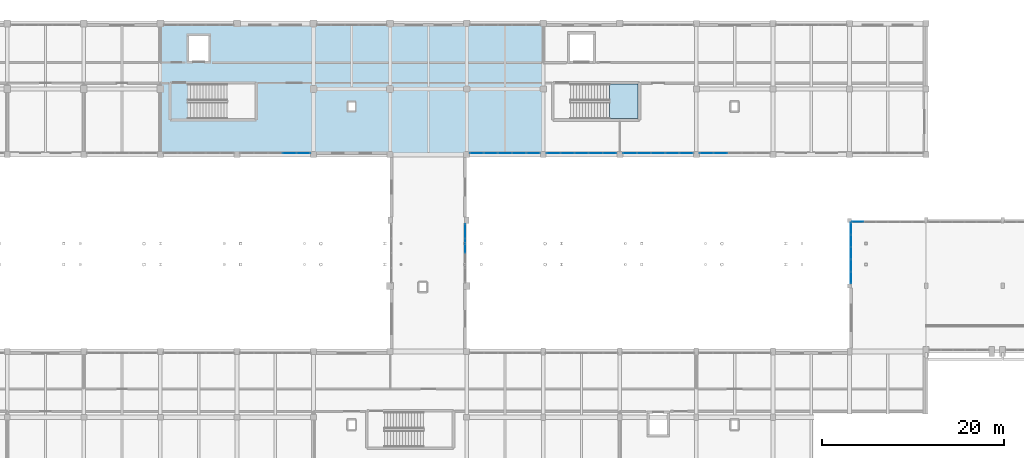
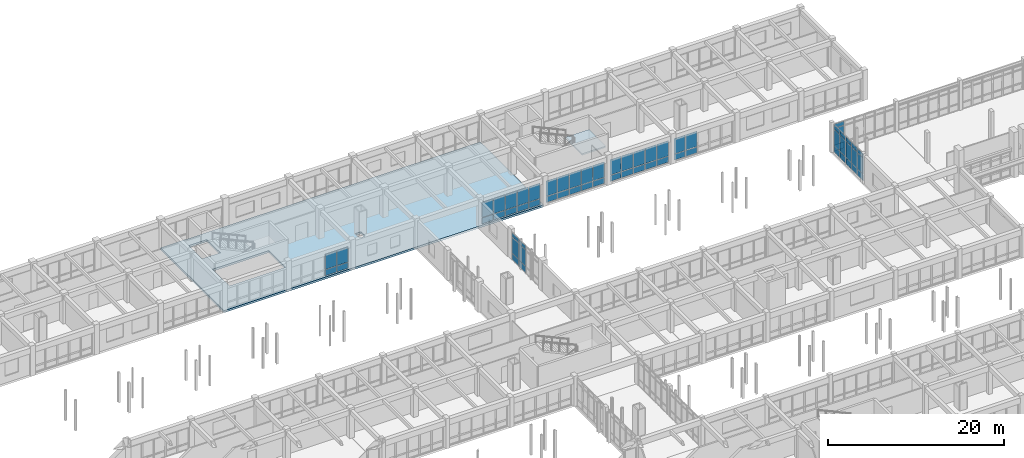
# One storey, part 113 of 147: 62 plates, 2 slabs, 9 elements without a shape of their own.
"""IFC4 building model written with IfcOpenShell, lengths in metres."""

from ifc_helpers import new_model, si_unit, direction, frame, origin, origin_2d, place, context, subcontext, project, spatial, polyline, rectangle, outline, extrude, material, layer, layer_set, type_object, element, aggregate, save


model = new_model("IFC4")

# Units and contexts
model_context = context("Model", 3, precision=1e-05, world=origin(), true_north=direction((0.0, 1.0)))
body_context = subcontext(model_context, "Body", "Model", "MODEL_VIEW")
ifc_project = project(units=[si_unit("LENGTHUNIT", "METRE"), si_unit("AREAUNIT", "SQUARE_METRE"), si_unit("VOLUMEUNIT", "CUBIC_METRE"), si_unit("PLANEANGLEUNIT", "RADIAN"), si_unit("MASSUNIT", "GRAM", prefix="KILO")], contexts=[model_context])

# Site, building, storey
site_placement = place(None, origin())
site = spatial("IfcSite", under=ifc_project, at=site_placement, CompositionType="ELEMENT")
building_placement = place(site_placement, origin())
building = spatial("IfcBuilding", under=site, at=building_placement, Name="Malvenik Polytechnic", CompositionType="ELEMENT")
storey_placement = place(building_placement, frame((0.0, 0.0, 5.10009765625)))
storey = spatial("IfcBuildingStorey", under=building, at=storey_placement, Name="L01", CompositionType="ELEMENT", Elevation=5.10009765625)

# Curtain wall, plates
ifc_material_1 = material(Name="Anodised aluminium 6060-T6", Category="aluminium")
curtain_wall_type_1 = type_object("IfcCurtainWallType", Name="ARC-CW-CW-02", PredefinedType="NOTDEFINED", material=ifc_material_1)
curtain_wall_1_placement = place(storey_placement, origin())
curtain_wall_1 = element("IfcCurtainWall", 1, at=curtain_wall_1_placement, inside=storey, type_object=curtain_wall_type_1, Name="Unitised Curtain Wall CW-02 L01 #39", PredefinedType="NOTDEFINED")
ifc_material_2 = material(Name="Insulated low-E double glazing 8-16-8", Category="glass")
ifc_layer_1 = layer(ifc_material_2, 0.028076171875)
ifc_layer_set_1 = layer_set([ifc_layer_1], Name="Insulated low-E double glazing 8-16-8")
plate_type_1 = type_object("IfcPlateType", Name="ARC-CWP-CP-GLZ28", PredefinedType="CURTAIN_PANEL", material=ifc_layer_set_1)
plate_1_placement = place(storey_placement, frame((66.086669921875, 115.3701171875, 0.929931640625), z_axis=(0.0, 0.0, 1.0), x_axis=(-1.0, 0.0, 0.0)))
plate_1 = element("IfcPlate", 2, at=plate_1_placement, type_object=plate_type_1, Name="CW-02 panel 1.2", PredefinedType="CURTAIN_PANEL", context=body_context, shape_type="SweptSolid", body=[
    extrude(rectangle(XDim=1.460693359375, YDim=0.028076171875, at=origin_2d()), origin(), (0.0, 0.0, 1.0), 2.1201171875),
])
plate_2_placement = place(storey_placement, frame((64.55078125, 115.3701171875, 0.929931640625), z_axis=(0.0, 0.0, 1.0), x_axis=(-1.0, 0.0, 0.0)))
plate_2 = element("IfcPlate", 3, at=plate_2_placement, type_object=plate_type_1, Name="CW-02 panel 2.2", PredefinedType="CURTAIN_PANEL", context=body_context, shape_type="SweptSolid", body=[
    extrude(rectangle(XDim=1.49072265625, YDim=0.028076171875, at=origin_2d()), origin(), (0.0, 0.0, 1.0), 2.1201171875),
])

curtain_wall_2_placement = place(storey_placement, origin())
curtain_wall_2 = element("IfcCurtainWall", 4, at=curtain_wall_2_placement, inside=storey, type_object=curtain_wall_type_1, Name="Unitised Curtain Wall CW-02 L01 #54", PredefinedType="NOTDEFINED")
plate_3_placement = place(storey_placement, frame((111.84912109375, 115.3701171875, 0.929931640625), z_axis=(0.0, 0.0, 1.0), x_axis=(-1.0, 0.0, 0.0)))
plate_3 = element("IfcPlate", 5, at=plate_3_placement, type_object=plate_type_1, Name="CW-02 panel 4.2", PredefinedType="CURTAIN_PANEL", context=body_context, shape_type="SweptSolid", body=[
    extrude(rectangle(XDim=1.49072265625, YDim=0.028076171875, at=origin_2d()), origin(), (0.0, 0.0, 1.0), 2.1201171875),
])
plate_4_placement = place(storey_placement, frame((110.3134765625, 115.3701171875, 0.929931640625), z_axis=(0.0, 0.0, 1.0), x_axis=(-1.0, 0.0, 0.0)))
plate_4 = element("IfcPlate", 6, at=plate_4_placement, type_object=plate_type_1, Name="CW-02 panel 5.2", PredefinedType="CURTAIN_PANEL", context=body_context, shape_type="SweptSolid", body=[
    extrude(rectangle(XDim=1.460693359375, YDim=0.028076171875, at=origin_2d()), origin(), (0.0, 0.0, 1.0), 2.1201171875),
])

curtain_wall_3_placement = place(storey_placement, origin())
curtain_wall_3 = element("IfcCurtainWall", 7, at=curtain_wall_3_placement, inside=storey, type_object=curtain_wall_type_1, Name="Unitised Curtain Wall CW-02 L01 #55", PredefinedType="NOTDEFINED")
plate_5_placement = place(storey_placement, frame((108.086669921875, 115.3701171875, 0.929931640625), z_axis=(0.0, 0.0, 1.0), x_axis=(-1.0, 0.0, 0.0)))
plate_5 = element("IfcPlate", 8, at=plate_5_placement, type_object=plate_type_1, Name="CW-02 panel 1.2", PredefinedType="CURTAIN_PANEL", context=body_context, shape_type="SweptSolid", body=[
    extrude(rectangle(XDim=1.460693359375, YDim=0.028076171875, at=origin_2d()), origin(), (0.0, 0.0, 1.0), 2.1201171875),
])
plate_6_placement = place(storey_placement, frame((106.55078125, 115.3701171875, 0.929931640625), z_axis=(0.0, 0.0, 1.0), x_axis=(-1.0, 0.0, 0.0)))
plate_6 = element("IfcPlate", 9, at=plate_6_placement, type_object=plate_type_1, Name="CW-02 panel 2.2", PredefinedType="CURTAIN_PANEL", context=body_context, shape_type="SweptSolid", body=[
    extrude(rectangle(XDim=1.49072265625, YDim=0.028076171875, at=origin_2d()), origin(), (0.0, 0.0, 1.0), 2.1201171875),
])
plate_7_placement = place(storey_placement, frame((105.0, 115.3701171875, 0.929931640625), z_axis=(0.0, 0.0, 1.0), x_axis=(-1.0, 0.0, 0.0)))
plate_7 = element("IfcPlate", 10, at=plate_7_placement, type_object=plate_type_1, Name="CW-02 panel 3.2", PredefinedType="CURTAIN_PANEL", context=body_context, shape_type="SweptSolid", body=[
    extrude(rectangle(XDim=1.49072265625, YDim=0.028076171875, at=origin_2d()), origin(), (0.0, 0.0, 1.0), 2.1201171875),
])
plate_8_placement = place(storey_placement, frame((103.44921875, 115.3701171875, 0.929931640625), z_axis=(0.0, 0.0, 1.0), x_axis=(-1.0, 0.0, 0.0)))
plate_8 = element("IfcPlate", 11, at=plate_8_placement, type_object=plate_type_1, Name="CW-02 panel 4.2", PredefinedType="CURTAIN_PANEL", context=body_context, shape_type="SweptSolid", body=[
    extrude(rectangle(XDim=1.49072265625, YDim=0.028076171875, at=origin_2d()), origin(), (0.0, 0.0, 1.0), 2.1201171875),
])
plate_9_placement = place(storey_placement, frame((101.913330078125, 115.3701171875, 0.929931640625), z_axis=(0.0, 0.0, 1.0), x_axis=(-1.0, 0.0, 0.0)))
plate_9 = element("IfcPlate", 12, at=plate_9_placement, type_object=plate_type_1, Name="CW-02 panel 5.2", PredefinedType="CURTAIN_PANEL", context=body_context, shape_type="SweptSolid", body=[
    extrude(rectangle(XDim=1.460693359375, YDim=0.028076171875, at=origin_2d()), origin(), (0.0, 0.0, 1.0), 2.1201171875),
])

curtain_wall_4_placement = place(storey_placement, origin())
curtain_wall_4 = element("IfcCurtainWall", 13, at=curtain_wall_4_placement, inside=storey, type_object=curtain_wall_type_1, Name="Unitised Curtain Wall CW-02 L01 #56", PredefinedType="NOTDEFINED")
plate_10_placement = place(storey_placement, frame((99.6865234375, 115.3701171875, 0.929931640625), z_axis=(0.0, 0.0, 1.0), x_axis=(-1.0, 0.0, 0.0)))
plate_10 = element("IfcPlate", 14, at=plate_10_placement, type_object=plate_type_1, Name="CW-02 panel 1.2", PredefinedType="CURTAIN_PANEL", context=body_context, shape_type="SweptSolid", body=[
    extrude(rectangle(XDim=1.460693359375, YDim=0.028076171875, at=origin_2d()), origin(), (0.0, 0.0, 1.0), 2.1201171875),
])
plate_11_placement = place(storey_placement, frame((98.15087890625, 115.3701171875, 0.929931640625), z_axis=(0.0, 0.0, 1.0), x_axis=(-1.0, 0.0, 0.0)))
plate_11 = element("IfcPlate", 15, at=plate_11_placement, type_object=plate_type_1, Name="CW-02 panel 2.2", PredefinedType="CURTAIN_PANEL", context=body_context, shape_type="SweptSolid", body=[
    extrude(rectangle(XDim=1.49072265625, YDim=0.028076171875, at=origin_2d()), origin(), (0.0, 0.0, 1.0), 2.1201171875),
])
plate_12_placement = place(storey_placement, frame((96.60009765625, 115.3701171875, 0.929931640625), z_axis=(0.0, 0.0, 1.0), x_axis=(-1.0, 0.0, 0.0)))
plate_12 = element("IfcPlate", 16, at=plate_12_placement, type_object=plate_type_1, Name="CW-02 panel 3.2", PredefinedType="CURTAIN_PANEL", context=body_context, shape_type="SweptSolid", body=[
    extrude(rectangle(XDim=1.49072265625, YDim=0.028076171875, at=origin_2d()), origin(), (0.0, 0.0, 1.0), 2.1201171875),
])
plate_13_placement = place(storey_placement, frame((95.04931640625, 115.3701171875, 0.929931640625), z_axis=(0.0, 0.0, 1.0), x_axis=(-1.0, 0.0, 0.0)))
plate_13 = element("IfcPlate", 17, at=plate_13_placement, type_object=plate_type_1, Name="CW-02 panel 4.2", PredefinedType="CURTAIN_PANEL", context=body_context, shape_type="SweptSolid", body=[
    extrude(rectangle(XDim=1.49072265625, YDim=0.028076171875, at=origin_2d()), origin(), (0.0, 0.0, 1.0), 2.1201171875),
])
plate_14_placement = place(storey_placement, frame((93.513427734375, 115.3701171875, 0.929931640625), z_axis=(0.0, 0.0, 1.0), x_axis=(-1.0, 0.0, 0.0)))
plate_14 = element("IfcPlate", 18, at=plate_14_placement, type_object=plate_type_1, Name="CW-02 panel 5.2", PredefinedType="CURTAIN_PANEL", context=body_context, shape_type="SweptSolid", body=[
    extrude(rectangle(XDim=1.460693359375, YDim=0.028076171875, at=origin_2d()), origin(), (0.0, 0.0, 1.0), 2.1201171875),
])

curtain_wall_5_placement = place(storey_placement, origin())
curtain_wall_5 = element("IfcCurtainWall", 19, at=curtain_wall_5_placement, inside=storey, type_object=curtain_wall_type_1, Name="Unitised Curtain Wall CW-02 L01 #57", PredefinedType="NOTDEFINED")
plate_15_placement = place(storey_placement, frame((91.28662109375, 115.3701171875, 0.929931640625), z_axis=(0.0, 0.0, 1.0), x_axis=(-1.0, 0.0, 0.0)))
plate_15 = element("IfcPlate", 20, at=plate_15_placement, type_object=plate_type_1, Name="CW-02 panel 1.2", PredefinedType="CURTAIN_PANEL", context=body_context, shape_type="SweptSolid", body=[
    extrude(rectangle(XDim=1.460693359375, YDim=0.028076171875, at=origin_2d()), origin(), (0.0, 0.0, 1.0), 2.1201171875),
])
plate_16_placement = place(storey_placement, frame((89.750732421875, 115.3701171875, 0.929931640625), z_axis=(0.0, 0.0, 1.0), x_axis=(-1.0, 0.0, 0.0)))
plate_16 = element("IfcPlate", 21, at=plate_16_placement, type_object=plate_type_1, Name="CW-02 panel 2.2", PredefinedType="CURTAIN_PANEL", context=body_context, shape_type="SweptSolid", body=[
    extrude(rectangle(XDim=1.49072265625, YDim=0.028076171875, at=origin_2d()), origin(), (0.0, 0.0, 1.0), 2.1201171875),
])
plate_17_placement = place(storey_placement, frame((88.199951171875, 115.3701171875, 0.929931640625), z_axis=(0.0, 0.0, 1.0), x_axis=(-1.0, 0.0, 0.0)))
plate_17 = element("IfcPlate", 22, at=plate_17_placement, type_object=plate_type_1, Name="CW-02 panel 3.2", PredefinedType="CURTAIN_PANEL", context=body_context, shape_type="SweptSolid", body=[
    extrude(rectangle(XDim=1.49072265625, YDim=0.028076171875, at=origin_2d()), origin(), (0.0, 0.0, 1.0), 2.1201171875),
])
plate_18_placement = place(storey_placement, frame((86.649169921875, 115.3701171875, 0.929931640625), z_axis=(0.0, 0.0, 1.0), x_axis=(-1.0, 0.0, 0.0)))
plate_18 = element("IfcPlate", 23, at=plate_18_placement, type_object=plate_type_1, Name="CW-02 panel 4.2", PredefinedType="CURTAIN_PANEL", context=body_context, shape_type="SweptSolid", body=[
    extrude(rectangle(XDim=1.49072265625, YDim=0.028076171875, at=origin_2d()), origin(), (0.0, 0.0, 1.0), 2.1201171875),
])
plate_19_placement = place(storey_placement, frame((85.11328125, 115.3701171875, 0.929931640625), z_axis=(0.0, 0.0, 1.0), x_axis=(-1.0, 0.0, 0.0)))
plate_19 = element("IfcPlate", 24, at=plate_19_placement, type_object=plate_type_1, Name="CW-02 panel 5.2", PredefinedType="CURTAIN_PANEL", context=body_context, shape_type="SweptSolid", body=[
    extrude(rectangle(XDim=1.460693359375, YDim=0.028076171875, at=origin_2d()), origin(), (0.0, 0.0, 1.0), 2.1201171875),
])

curtain_wall_type_2 = type_object("IfcCurtainWallType", Name="ARC-CW-CW-04", PredefinedType="NOTDEFINED", material=ifc_material_1)
curtain_wall_6_placement = place(storey_placement, origin())
curtain_wall_6 = element("IfcCurtainWall", 25, at=curtain_wall_6_placement, inside=storey, type_object=curtain_wall_type_2, Name="Unitised Curtain Wall CW-04 L01 #58", PredefinedType="NOTDEFINED")
plate_20_placement = place(storey_placement, frame((83.830078125, 106.80517578125, 0.97998046875), z_axis=(0.0, 0.0, 1.0), x_axis=(0.0, -1.0, 0.0)))
plate_20 = element("IfcPlate", 26, at=plate_20_placement, type_object=plate_type_1, Name="CW-04 panel 1.2", PredefinedType="CURTAIN_PANEL", context=body_context, shape_type="SweptSolid", body=[
    extrude(rectangle(XDim=1.5234375, YDim=0.028076171875, at=origin_2d()), origin(), (0.0, 0.0, 1.0), 2.199951171875),
])
plate_21_placement = place(storey_placement, frame((83.830078125, 106.80517578125, 3.239990234375), z_axis=(0.0, 0.0, 1.0), x_axis=(0.0, -1.0, 0.0)))
plate_21 = element("IfcPlate", 27, at=plate_21_placement, type_object=plate_type_1, Name="CW-04 panel 1.3", PredefinedType="CURTAIN_PANEL", context=body_context, shape_type="SweptSolid", body=[
    extrude(rectangle(XDim=1.5234375, YDim=0.028076171875, at=origin_2d()), origin(), (0.0, 0.0, 1.0), 0.56005859375),
])
plate_22_placement = place(storey_placement, frame((83.830078125, 105.206787109375, 0.97998046875), z_axis=(0.0, 0.0, 1.0), x_axis=(0.0, -1.0, 0.0)))
plate_22 = element("IfcPlate", 28, at=plate_22_placement, type_object=plate_type_1, Name="CW-04 panel 2.2", PredefinedType="CURTAIN_PANEL", context=body_context, shape_type="SweptSolid", body=[
    extrude(rectangle(XDim=1.553466796875, YDim=0.028076171875, at=origin_2d()), origin(), (0.0, 0.0, 1.0), 2.199951171875),
])
plate_23_placement = place(storey_placement, frame((83.830078125, 105.206787109375, 3.239990234375), z_axis=(0.0, 0.0, 1.0), x_axis=(0.0, -1.0, 0.0)))
plate_23 = element("IfcPlate", 29, at=plate_23_placement, type_object=plate_type_1, Name="CW-04 panel 2.3", PredefinedType="CURTAIN_PANEL", context=body_context, shape_type="SweptSolid", body=[
    extrude(rectangle(XDim=1.553466796875, YDim=0.028076171875, at=origin_2d()), origin(), (0.0, 0.0, 1.0), 0.56005859375),
])

curtain_wall_7_placement = place(storey_placement, origin())
curtain_wall_7 = element("IfcCurtainWall", 30, at=curtain_wall_7_placement, inside=storey, type_object=curtain_wall_type_2, Name="Unitised Curtain Wall CW-04 L01 #63", PredefinedType="NOTDEFINED")
plate_24_placement = place(storey_placement, frame((126.169921875, 101.71337890625, 0.97998046875), z_axis=(0.0, 0.0, 1.0), x_axis=(0.0, 1.0, 0.0)))
plate_24 = element("IfcPlate", 31, at=plate_24_placement, type_object=plate_type_1, Name="CW-04 panel 1.2", PredefinedType="CURTAIN_PANEL", context=body_context, shape_type="SweptSolid", body=[
    extrude(rectangle(XDim=1.2607421875, YDim=0.028076171875, at=origin_2d()), origin(), (0.0, 0.0, 1.0), 2.199951171875),
])
plate_25_placement = place(storey_placement, frame((126.169921875, 101.71337890625, 3.239990234375), z_axis=(0.0, 0.0, 1.0), x_axis=(0.0, 1.0, 0.0)))
plate_25 = element("IfcPlate", 32, at=plate_25_placement, type_object=plate_type_1, Name="CW-04 panel 1.3", PredefinedType="CURTAIN_PANEL", context=body_context, shape_type="SweptSolid", body=[
    extrude(rectangle(XDim=1.2607421875, YDim=0.028076171875, at=origin_2d()), origin(), (0.0, 0.0, 1.0), 0.56005859375),
])
plate_26_placement = place(storey_placement, frame((126.169921875, 103.04931640625, 0.97998046875), z_axis=(0.0, 0.0, 1.0), x_axis=(0.0, 1.0, 0.0)))
plate_26 = element("IfcPlate", 33, at=plate_26_placement, type_object=plate_type_1, Name="CW-04 panel 2.2", PredefinedType="CURTAIN_PANEL", context=body_context, shape_type="SweptSolid", body=[
    extrude(rectangle(XDim=1.290771484375, YDim=0.028076171875, at=origin_2d()), origin(), (0.0, 0.0, 1.0), 2.199951171875),
])
plate_27_placement = place(storey_placement, frame((126.169921875, 103.04931640625, 3.239990234375), z_axis=(0.0, 0.0, 1.0), x_axis=(0.0, 1.0, 0.0)))
plate_27 = element("IfcPlate", 34, at=plate_27_placement, type_object=plate_type_1, Name="CW-04 panel 2.3", PredefinedType="CURTAIN_PANEL", context=body_context, shape_type="SweptSolid", body=[
    extrude(rectangle(XDim=1.290771484375, YDim=0.028076171875, at=origin_2d()), origin(), (0.0, 0.0, 1.0), 0.56005859375),
])
plate_28_placement = place(storey_placement, frame((126.169921875, 104.39990234375, 0.97998046875), z_axis=(0.0, 0.0, 1.0), x_axis=(0.0, 1.0, 0.0)))
plate_28 = element("IfcPlate", 35, at=plate_28_placement, type_object=plate_type_1, Name="CW-04 panel 3.2", PredefinedType="CURTAIN_PANEL", context=body_context, shape_type="SweptSolid", body=[
    extrude(rectangle(XDim=1.290771484375, YDim=0.028076171875, at=origin_2d()), origin(), (0.0, 0.0, 1.0), 2.199951171875),
])
plate_29_placement = place(storey_placement, frame((126.169921875, 104.39990234375, 3.239990234375), z_axis=(0.0, 0.0, 1.0), x_axis=(0.0, 1.0, 0.0)))
plate_29 = element("IfcPlate", 36, at=plate_29_placement, type_object=plate_type_1, Name="CW-04 panel 3.3", PredefinedType="CURTAIN_PANEL", context=body_context, shape_type="SweptSolid", body=[
    extrude(rectangle(XDim=1.290771484375, YDim=0.028076171875, at=origin_2d()), origin(), (0.0, 0.0, 1.0), 0.56005859375),
])
plate_30_placement = place(storey_placement, frame((126.169921875, 105.750732421875, 0.97998046875), z_axis=(0.0, 0.0, 1.0), x_axis=(0.0, 1.0, 0.0)))
plate_30 = element("IfcPlate", 37, at=plate_30_placement, type_object=plate_type_1, Name="CW-04 panel 4.2", PredefinedType="CURTAIN_PANEL", context=body_context, shape_type="SweptSolid", body=[
    extrude(rectangle(XDim=1.290771484375, YDim=0.028076171875, at=origin_2d()), origin(), (0.0, 0.0, 1.0), 2.199951171875),
])
plate_31_placement = place(storey_placement, frame((126.169921875, 105.750732421875, 3.239990234375), z_axis=(0.0, 0.0, 1.0), x_axis=(0.0, 1.0, 0.0)))
plate_31 = element("IfcPlate", 38, at=plate_31_placement, type_object=plate_type_1, Name="CW-04 panel 4.3", PredefinedType="CURTAIN_PANEL", context=body_context, shape_type="SweptSolid", body=[
    extrude(rectangle(XDim=1.290771484375, YDim=0.028076171875, at=origin_2d()), origin(), (0.0, 0.0, 1.0), 0.56005859375),
])
plate_32_placement = place(storey_placement, frame((126.169921875, 107.086669921875, 0.97998046875), z_axis=(0.0, 0.0, 1.0), x_axis=(0.0, 1.0, 0.0)))
plate_32 = element("IfcPlate", 39, at=plate_32_placement, type_object=plate_type_1, Name="CW-04 panel 5.2", PredefinedType="CURTAIN_PANEL", context=body_context, shape_type="SweptSolid", body=[
    extrude(rectangle(XDim=1.2607421875, YDim=0.028076171875, at=origin_2d()), origin(), (0.0, 0.0, 1.0), 2.199951171875),
])
plate_33_placement = place(storey_placement, frame((126.169921875, 107.086669921875, 3.239990234375), z_axis=(0.0, 0.0, 1.0), x_axis=(0.0, 1.0, 0.0)))
plate_33 = element("IfcPlate", 40, at=plate_33_placement, type_object=plate_type_1, Name="CW-04 panel 5.3", PredefinedType="CURTAIN_PANEL", context=body_context, shape_type="SweptSolid", body=[
    extrude(rectangle(XDim=1.2607421875, YDim=0.028076171875, at=origin_2d()), origin(), (0.0, 0.0, 1.0), 0.56005859375),
])

curtain_wall_type_3 = type_object("IfcCurtainWallType", Name="ARC-CW-CW-01", PredefinedType="NOTDEFINED", material=ifc_material_1)
curtain_wall_8_placement = place(storey_placement, origin())
curtain_wall_8 = element("IfcCurtainWall", 41, at=curtain_wall_8_placement, inside=storey, type_object=curtain_wall_type_3, Name="Unitised Curtain Wall CW-01 L01 #64", PredefinedType="NOTDEFINED")
plate_34_placement = place(storey_placement, frame((126.90283203125, 107.830078125, 0.97998046875), z_axis=(0.0, 0.0, 1.0), x_axis=(1.0, 0.0, 0.0)))
plate_34 = element("IfcPlate", 42, at=plate_34_placement, type_object=plate_type_1, Name="CW-01 panel 1.2", PredefinedType="CURTAIN_PANEL", context=body_context, shape_type="SweptSolid", body=[
    extrude(rectangle(XDim=1.23974609375, YDim=0.028076171875, at=origin_2d()), origin(), (0.0, 0.0, 1.0), 2.199951171875),
])
plate_35_placement = place(storey_placement, frame((126.90283203125, 107.830078125, 3.239990234375), z_axis=(0.0, 0.0, 1.0), x_axis=(1.0, 0.0, 0.0)))
plate_35 = element("IfcPlate", 43, at=plate_35_placement, type_object=plate_type_1, Name="CW-01 panel 1.3", PredefinedType="CURTAIN_PANEL", context=body_context, shape_type="SweptSolid", body=[
    extrude(rectangle(XDim=1.23974609375, YDim=0.028076171875, at=origin_2d()), origin(), (0.0, 0.0, 1.0), 0.56005859375),
])

# Plate
ifc_material_3 = material(Name="Insulated aluminium spandrel cassette 42mm", Category="aluminium")
ifc_layer_2 = layer(ifc_material_3, 0.0419921875)
ifc_layer_set_2 = layer_set([ifc_layer_2], Name="Insulated aluminium spandrel cassette 42mm")
plate_type_2 = type_object("IfcPlateType", Name="ARC-CWP-CP-SPN42", PredefinedType="CURTAIN_PANEL", material=ifc_layer_set_2)
plate_36_placement = place(storey_placement, frame((66.086669921875, 115.3701171875, 0.059814453125), z_axis=(0.0, 0.0, 1.0), x_axis=(-1.0, 0.0, 0.0)))
plate_36 = element("IfcPlate", 44, at=plate_36_placement, type_object=plate_type_2, Name="CW-02 panel 1.1", PredefinedType="CURTAIN_PANEL", context=body_context, shape_type="SweptSolid", body=[
    extrude(rectangle(XDim=1.460693359375, YDim=0.028076171875, at=origin_2d()), origin(), (0.0, 0.0, 1.0), 0.81005859375),
])

plate_37_placement = place(storey_placement, frame((64.55078125, 115.3701171875, 0.059814453125), z_axis=(0.0, 0.0, 1.0), x_axis=(-1.0, 0.0, 0.0)))
plate_37 = element("IfcPlate", 45, at=plate_37_placement, type_object=plate_type_2, Name="CW-02 panel 2.1", PredefinedType="CURTAIN_PANEL", context=body_context, shape_type="SweptSolid", body=[
    extrude(rectangle(XDim=1.49072265625, YDim=0.028076171875, at=origin_2d()), origin(), (0.0, 0.0, 1.0), 0.81005859375),
])

aggregate(curtain_wall_1, [plate_36, plate_1, plate_37, plate_2])

plate_38_placement = place(storey_placement, frame((111.84912109375, 115.3701171875, 0.059814453125), z_axis=(0.0, 0.0, 1.0), x_axis=(-1.0, 0.0, 0.0)))
plate_38 = element("IfcPlate", 46, at=plate_38_placement, type_object=plate_type_2, Name="CW-02 panel 4.1", PredefinedType="CURTAIN_PANEL", context=body_context, shape_type="SweptSolid", body=[
    extrude(rectangle(XDim=1.49072265625, YDim=0.028076171875, at=origin_2d()), origin(), (0.0, 0.0, 1.0), 0.81005859375),
])

plate_39_placement = place(storey_placement, frame((110.3134765625, 115.3701171875, 0.059814453125), z_axis=(0.0, 0.0, 1.0), x_axis=(-1.0, 0.0, 0.0)))
plate_39 = element("IfcPlate", 47, at=plate_39_placement, type_object=plate_type_2, Name="CW-02 panel 5.1", PredefinedType="CURTAIN_PANEL", context=body_context, shape_type="SweptSolid", body=[
    extrude(rectangle(XDim=1.460693359375, YDim=0.028076171875, at=origin_2d()), origin(), (0.0, 0.0, 1.0), 0.81005859375),
])

aggregate(curtain_wall_2, [plate_38, plate_3, plate_39, plate_4])

plate_40_placement = place(storey_placement, frame((108.086669921875, 115.3701171875, 0.059814453125), z_axis=(0.0, 0.0, 1.0), x_axis=(-1.0, 0.0, 0.0)))
plate_40 = element("IfcPlate", 48, at=plate_40_placement, type_object=plate_type_2, Name="CW-02 panel 1.1", PredefinedType="CURTAIN_PANEL", context=body_context, shape_type="SweptSolid", body=[
    extrude(rectangle(XDim=1.460693359375, YDim=0.028076171875, at=origin_2d()), origin(), (0.0, 0.0, 1.0), 0.81005859375),
])

plate_41_placement = place(storey_placement, frame((106.55078125, 115.3701171875, 0.059814453125), z_axis=(0.0, 0.0, 1.0), x_axis=(-1.0, 0.0, 0.0)))
plate_41 = element("IfcPlate", 49, at=plate_41_placement, type_object=plate_type_2, Name="CW-02 panel 2.1", PredefinedType="CURTAIN_PANEL", context=body_context, shape_type="SweptSolid", body=[
    extrude(rectangle(XDim=1.49072265625, YDim=0.028076171875, at=origin_2d()), origin(), (0.0, 0.0, 1.0), 0.81005859375),
])

plate_42_placement = place(storey_placement, frame((105.0, 115.3701171875, 0.059814453125), z_axis=(0.0, 0.0, 1.0), x_axis=(-1.0, 0.0, 0.0)))
plate_42 = element("IfcPlate", 50, at=plate_42_placement, type_object=plate_type_2, Name="CW-02 panel 3.1", PredefinedType="CURTAIN_PANEL", context=body_context, shape_type="SweptSolid", body=[
    extrude(rectangle(XDim=1.49072265625, YDim=0.028076171875, at=origin_2d()), origin(), (0.0, 0.0, 1.0), 0.81005859375),
])

plate_43_placement = place(storey_placement, frame((103.44921875, 115.3701171875, 0.059814453125), z_axis=(0.0, 0.0, 1.0), x_axis=(-1.0, 0.0, 0.0)))
plate_43 = element("IfcPlate", 51, at=plate_43_placement, type_object=plate_type_2, Name="CW-02 panel 4.1", PredefinedType="CURTAIN_PANEL", context=body_context, shape_type="SweptSolid", body=[
    extrude(rectangle(XDim=1.49072265625, YDim=0.028076171875, at=origin_2d()), origin(), (0.0, 0.0, 1.0), 0.81005859375),
])

plate_44_placement = place(storey_placement, frame((101.913330078125, 115.3701171875, 0.059814453125), z_axis=(0.0, 0.0, 1.0), x_axis=(-1.0, 0.0, 0.0)))
plate_44 = element("IfcPlate", 52, at=plate_44_placement, type_object=plate_type_2, Name="CW-02 panel 5.1", PredefinedType="CURTAIN_PANEL", context=body_context, shape_type="SweptSolid", body=[
    extrude(rectangle(XDim=1.460693359375, YDim=0.028076171875, at=origin_2d()), origin(), (0.0, 0.0, 1.0), 0.81005859375),
])

aggregate(curtain_wall_3, [plate_40, plate_5, plate_41, plate_6, plate_42, plate_7, plate_43, plate_8, plate_44, plate_9])

plate_45_placement = place(storey_placement, frame((99.6865234375, 115.3701171875, 0.059814453125), z_axis=(0.0, 0.0, 1.0), x_axis=(-1.0, 0.0, 0.0)))
plate_45 = element("IfcPlate", 53, at=plate_45_placement, type_object=plate_type_2, Name="CW-02 panel 1.1", PredefinedType="CURTAIN_PANEL", context=body_context, shape_type="SweptSolid", body=[
    extrude(rectangle(XDim=1.460693359375, YDim=0.028076171875, at=origin_2d()), origin(), (0.0, 0.0, 1.0), 0.81005859375),
])

plate_46_placement = place(storey_placement, frame((98.15087890625, 115.3701171875, 0.059814453125), z_axis=(0.0, 0.0, 1.0), x_axis=(-1.0, 0.0, 0.0)))
plate_46 = element("IfcPlate", 54, at=plate_46_placement, type_object=plate_type_2, Name="CW-02 panel 2.1", PredefinedType="CURTAIN_PANEL", context=body_context, shape_type="SweptSolid", body=[
    extrude(rectangle(XDim=1.49072265625, YDim=0.028076171875, at=origin_2d()), origin(), (0.0, 0.0, 1.0), 0.81005859375),
])

plate_47_placement = place(storey_placement, frame((96.60009765625, 115.3701171875, 0.059814453125), z_axis=(0.0, 0.0, 1.0), x_axis=(-1.0, 0.0, 0.0)))
plate_47 = element("IfcPlate", 55, at=plate_47_placement, type_object=plate_type_2, Name="CW-02 panel 3.1", PredefinedType="CURTAIN_PANEL", context=body_context, shape_type="SweptSolid", body=[
    extrude(rectangle(XDim=1.49072265625, YDim=0.028076171875, at=origin_2d()), origin(), (0.0, 0.0, 1.0), 0.81005859375),
])

plate_48_placement = place(storey_placement, frame((95.04931640625, 115.3701171875, 0.059814453125), z_axis=(0.0, 0.0, 1.0), x_axis=(-1.0, 0.0, 0.0)))
plate_48 = element("IfcPlate", 56, at=plate_48_placement, type_object=plate_type_2, Name="CW-02 panel 4.1", PredefinedType="CURTAIN_PANEL", context=body_context, shape_type="SweptSolid", body=[
    extrude(rectangle(XDim=1.49072265625, YDim=0.028076171875, at=origin_2d()), origin(), (0.0, 0.0, 1.0), 0.81005859375),
])

plate_49_placement = place(storey_placement, frame((93.513427734375, 115.3701171875, 0.059814453125), z_axis=(0.0, 0.0, 1.0), x_axis=(-1.0, 0.0, 0.0)))
plate_49 = element("IfcPlate", 57, at=plate_49_placement, type_object=plate_type_2, Name="CW-02 panel 5.1", PredefinedType="CURTAIN_PANEL", context=body_context, shape_type="SweptSolid", body=[
    extrude(rectangle(XDim=1.460693359375, YDim=0.028076171875, at=origin_2d()), origin(), (0.0, 0.0, 1.0), 0.81005859375),
])

aggregate(curtain_wall_4, [plate_45, plate_10, plate_46, plate_11, plate_47, plate_12, plate_48, plate_13, plate_49, plate_14])

plate_50_placement = place(storey_placement, frame((91.28662109375, 115.3701171875, 0.059814453125), z_axis=(0.0, 0.0, 1.0), x_axis=(-1.0, 0.0, 0.0)))
plate_50 = element("IfcPlate", 58, at=plate_50_placement, type_object=plate_type_2, Name="CW-02 panel 1.1", PredefinedType="CURTAIN_PANEL", context=body_context, shape_type="SweptSolid", body=[
    extrude(rectangle(XDim=1.460693359375, YDim=0.028076171875, at=origin_2d()), origin(), (0.0, 0.0, 1.0), 0.81005859375),
])

plate_51_placement = place(storey_placement, frame((89.750732421875, 115.3701171875, 0.059814453125), z_axis=(0.0, 0.0, 1.0), x_axis=(-1.0, 0.0, 0.0)))
plate_51 = element("IfcPlate", 59, at=plate_51_placement, type_object=plate_type_2, Name="CW-02 panel 2.1", PredefinedType="CURTAIN_PANEL", context=body_context, shape_type="SweptSolid", body=[
    extrude(rectangle(XDim=1.49072265625, YDim=0.028076171875, at=origin_2d()), origin(), (0.0, 0.0, 1.0), 0.81005859375),
])

plate_52_placement = place(storey_placement, frame((88.199951171875, 115.3701171875, 0.059814453125), z_axis=(0.0, 0.0, 1.0), x_axis=(-1.0, 0.0, 0.0)))
plate_52 = element("IfcPlate", 60, at=plate_52_placement, type_object=plate_type_2, Name="CW-02 panel 3.1", PredefinedType="CURTAIN_PANEL", context=body_context, shape_type="SweptSolid", body=[
    extrude(rectangle(XDim=1.49072265625, YDim=0.028076171875, at=origin_2d()), origin(), (0.0, 0.0, 1.0), 0.81005859375),
])

plate_53_placement = place(storey_placement, frame((86.649169921875, 115.3701171875, 0.059814453125), z_axis=(0.0, 0.0, 1.0), x_axis=(-1.0, 0.0, 0.0)))
plate_53 = element("IfcPlate", 61, at=plate_53_placement, type_object=plate_type_2, Name="CW-02 panel 4.1", PredefinedType="CURTAIN_PANEL", context=body_context, shape_type="SweptSolid", body=[
    extrude(rectangle(XDim=1.49072265625, YDim=0.028076171875, at=origin_2d()), origin(), (0.0, 0.0, 1.0), 0.81005859375),
])

plate_54_placement = place(storey_placement, frame((85.11328125, 115.3701171875, 0.059814453125), z_axis=(0.0, 0.0, 1.0), x_axis=(-1.0, 0.0, 0.0)))
plate_54 = element("IfcPlate", 62, at=plate_54_placement, type_object=plate_type_2, Name="CW-02 panel 5.1", PredefinedType="CURTAIN_PANEL", context=body_context, shape_type="SweptSolid", body=[
    extrude(rectangle(XDim=1.460693359375, YDim=0.028076171875, at=origin_2d()), origin(), (0.0, 0.0, 1.0), 0.81005859375),
])

aggregate(curtain_wall_5, [plate_50, plate_15, plate_51, plate_16, plate_52, plate_17, plate_53, plate_18, plate_54, plate_19])

plate_55_placement = place(storey_placement, frame((83.830078125, 106.80517578125, 0.06005859375), z_axis=(0.0, 0.0, 1.0), x_axis=(0.0, -1.0, 0.0)))
plate_55 = element("IfcPlate", 63, at=plate_55_placement, type_object=plate_type_2, Name="CW-04 panel 1.1", PredefinedType="CURTAIN_PANEL", context=body_context, shape_type="SweptSolid", body=[
    extrude(rectangle(XDim=1.5234375, YDim=0.028076171875, at=origin_2d()), origin(), (0.0, 0.0, 1.0), 0.860107421875),
])

plate_56_placement = place(storey_placement, frame((83.830078125, 105.206787109375, 0.06005859375), z_axis=(0.0, 0.0, 1.0), x_axis=(0.0, -1.0, 0.0)))
plate_56 = element("IfcPlate", 64, at=plate_56_placement, type_object=plate_type_2, Name="CW-04 panel 2.1", PredefinedType="CURTAIN_PANEL", context=body_context, shape_type="SweptSolid", body=[
    extrude(rectangle(XDim=1.553466796875, YDim=0.028076171875, at=origin_2d()), origin(), (0.0, 0.0, 1.0), 0.860107421875),
])

aggregate(curtain_wall_6, [plate_55, plate_20, plate_21, plate_56, plate_22, plate_23])

plate_57_placement = place(storey_placement, frame((126.169921875, 101.71337890625, 0.06005859375), z_axis=(0.0, 0.0, 1.0), x_axis=(0.0, 1.0, 0.0)))
plate_57 = element("IfcPlate", 65, at=plate_57_placement, type_object=plate_type_2, Name="CW-04 panel 1.1", PredefinedType="CURTAIN_PANEL", context=body_context, shape_type="SweptSolid", body=[
    extrude(rectangle(XDim=1.2607421875, YDim=0.028076171875, at=origin_2d()), origin(), (0.0, 0.0, 1.0), 0.860107421875),
])

plate_58_placement = place(storey_placement, frame((126.169921875, 103.04931640625, 0.06005859375), z_axis=(0.0, 0.0, 1.0), x_axis=(0.0, 1.0, 0.0)))
plate_58 = element("IfcPlate", 66, at=plate_58_placement, type_object=plate_type_2, Name="CW-04 panel 2.1", PredefinedType="CURTAIN_PANEL", context=body_context, shape_type="SweptSolid", body=[
    extrude(rectangle(XDim=1.290771484375, YDim=0.028076171875, at=origin_2d()), origin(), (0.0, 0.0, 1.0), 0.860107421875),
])

plate_59_placement = place(storey_placement, frame((126.169921875, 104.39990234375, 0.06005859375), z_axis=(0.0, 0.0, 1.0), x_axis=(0.0, 1.0, 0.0)))
plate_59 = element("IfcPlate", 67, at=plate_59_placement, type_object=plate_type_2, Name="CW-04 panel 3.1", PredefinedType="CURTAIN_PANEL", context=body_context, shape_type="SweptSolid", body=[
    extrude(rectangle(XDim=1.290771484375, YDim=0.028076171875, at=origin_2d()), origin(), (0.0, 0.0, 1.0), 0.860107421875),
])

plate_60_placement = place(storey_placement, frame((126.169921875, 105.750732421875, 0.06005859375), z_axis=(0.0, 0.0, 1.0), x_axis=(0.0, 1.0, 0.0)))
plate_60 = element("IfcPlate", 68, at=plate_60_placement, type_object=plate_type_2, Name="CW-04 panel 4.1", PredefinedType="CURTAIN_PANEL", context=body_context, shape_type="SweptSolid", body=[
    extrude(rectangle(XDim=1.290771484375, YDim=0.028076171875, at=origin_2d()), origin(), (0.0, 0.0, 1.0), 0.860107421875),
])

plate_61_placement = place(storey_placement, frame((126.169921875, 107.086669921875, 0.06005859375), z_axis=(0.0, 0.0, 1.0), x_axis=(0.0, 1.0, 0.0)))
plate_61 = element("IfcPlate", 69, at=plate_61_placement, type_object=plate_type_2, Name="CW-04 panel 5.1", PredefinedType="CURTAIN_PANEL", context=body_context, shape_type="SweptSolid", body=[
    extrude(rectangle(XDim=1.2607421875, YDim=0.028076171875, at=origin_2d()), origin(), (0.0, 0.0, 1.0), 0.860107421875),
])

aggregate(curtain_wall_7, [plate_57, plate_24, plate_25, plate_58, plate_26, plate_27, plate_59, plate_28, plate_29, plate_60, plate_30, plate_31, plate_61, plate_32, plate_33])

plate_62_placement = place(storey_placement, frame((126.90283203125, 107.830078125, 0.06005859375), z_axis=(0.0, 0.0, 1.0), x_axis=(1.0, 0.0, 0.0)))
plate_62 = element("IfcPlate", 70, at=plate_62_placement, type_object=plate_type_2, Name="CW-01 panel 1.1", PredefinedType="CURTAIN_PANEL", context=body_context, shape_type="SweptSolid", body=[
    extrude(rectangle(XDim=1.23974609375, YDim=0.028076171875, at=origin_2d()), origin(), (0.0, 0.0, 1.0), 0.860107421875),
])

aggregate(curtain_wall_8, [plate_62, plate_34, plate_35])

# Stair, slab
ifc_material_4 = material(Name="Concrete C35/45", Category="concrete")
stair_type = type_object("IfcStairType", Name="ARC-STR-ST-03", PredefinedType="HALF_TURN_STAIR", material=ifc_material_4)
stair_placement = place(storey_placement, origin())
stair = element("IfcStair", 71, at=stair_placement, inside=storey, type_object=stair_type, Name="L01 Escape Stair ST-03", PredefinedType="HALF_TURN_STAIR")
ifc_layer_3 = layer(ifc_material_4, 0.199951171875)
ifc_layer_set_3 = layer_set([ifc_layer_3], Name="Concrete C35/45")
slab_type_1 = type_object("IfcSlabType", Name="ARC-SLB-STLND", PredefinedType="LANDING", material=ifc_layer_set_3)
slab_1_placement = place(storey_placement, frame((0.0, 0.0, 1.89990234375)))
slab_1 = element("IfcSlab", 72, at=slab_1_placement, type_object=slab_type_1, Name="ST-03 landing 1", PredefinedType="LANDING", context=body_context, shape_type="SweptSolid", body=[
    extrude(outline(polyline([(99.68994140625, 119.14990234375), (102.800048828125, 119.14990234375), (102.800048828125, 122.949951171875), (99.68994140625, 122.949951171875), (99.68994140625, 119.14990234375)])), origin(), (0.0, 0.0, 1.0), 0.199951171875),
])
aggregate(stair, [slab_1])

# Slab
ifc_layer_4 = layer(ifc_material_4, 0.280029296875)
ifc_layer_set_4 = layer_set([ifc_layer_4], Name="Concrete C35/45")
slab_type_2 = type_object("IfcSlabType", Name="STR-SLB-FLR-280", PredefinedType="FLOOR", material=ifc_layer_set_4)
slab_2_placement = place(storey_placement, frame((0.0, 0.0, -0.280029296875)))
element("IfcSlab", 73, at=slab_2_placement, inside=storey, type_object=slab_type_2, Name="Structural Slab L01-V1 #47", PredefinedType="FLOOR", context=body_context, shape_type="SweptSolid", body=[
    extrude(outline(polyline([(92.3798828125, 129.60009765625), (92.3798828125, 115.199951171875), (50.419921875, 115.199951171875), (50.419921875, 129.60009765625), (92.3798828125, 129.60009765625)]), holes=[polyline([(71.75, 120.949951171875), (71.0, 120.949951171875), (71.0, 120.0), (71.75, 120.0), (71.75, 120.949951171875)]), polyline([(60.800048828125, 119.14990234375), (60.800048828125, 122.949951171875), (53.41796875, 122.949951171875), (53.41796875, 119.14990234375), (60.800048828125, 119.14990234375)]), polyline([(55.800048828125, 128.35009765625), (53.39990234375, 128.35009765625), (53.39990234375, 125.35009765625), (55.800048828125, 125.35009765625), (55.800048828125, 128.35009765625)])]), origin(), (0.0, 0.0, 1.0), 0.280029296875),
])

save(model, "model.ifc")
